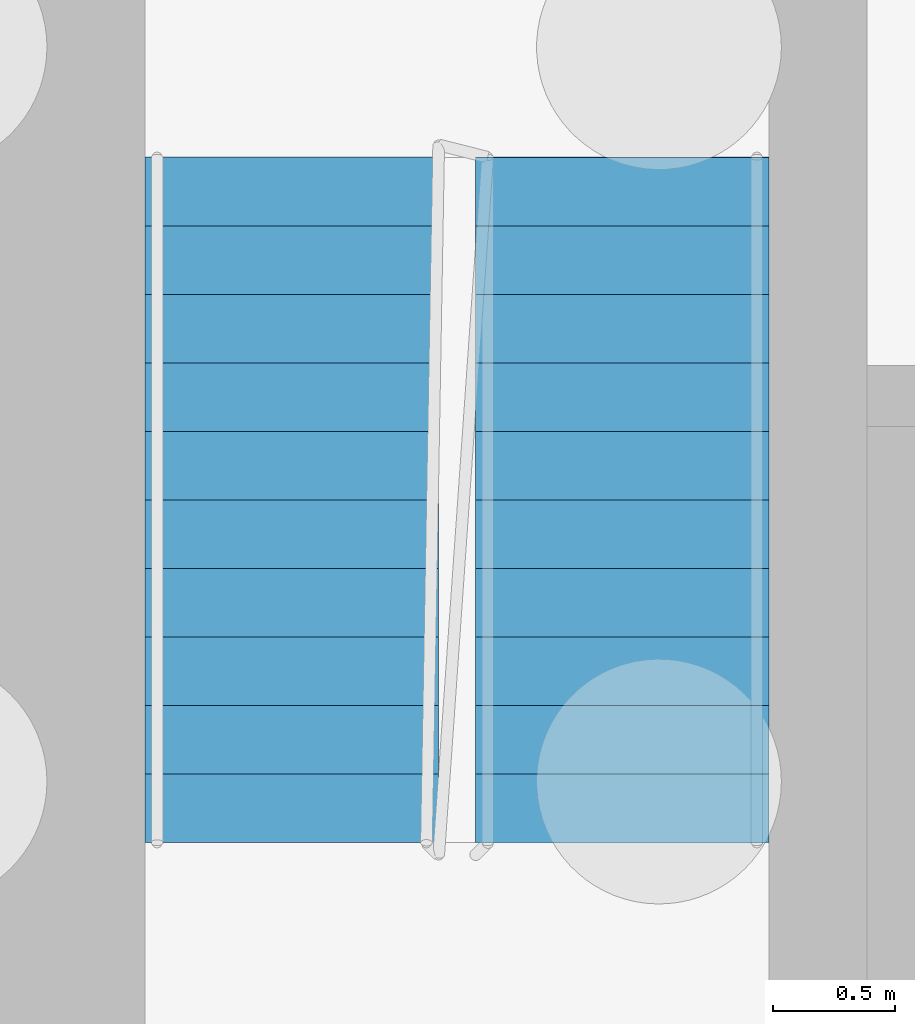
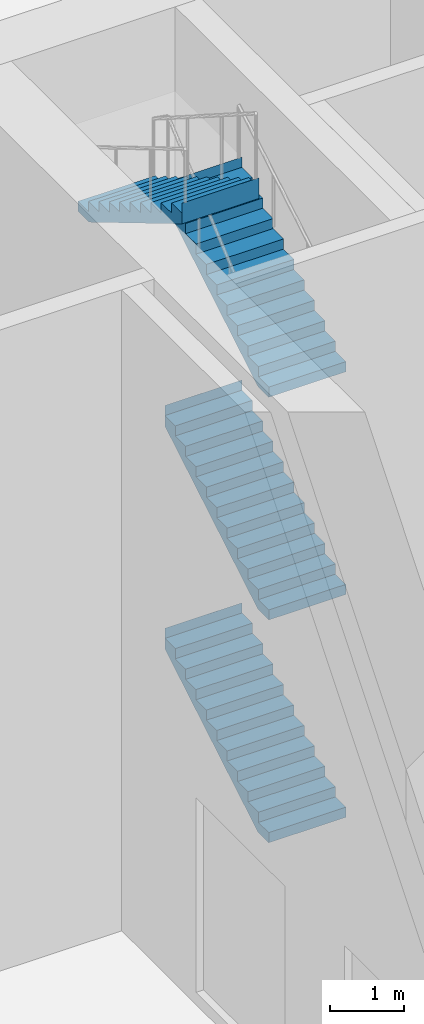
# One storey, part 18 of 26: 4 stair flights, 1 element without a shape of its own.
"""IFC4 building model written with IfcOpenShell, lengths in metres."""

from ifc_helpers import new_model, si_unit, direction, frame, origin, place, context, subcontext, project, spatial, faceted_brep, material, type_object, element, aggregate, save


model = new_model("IFC4")

# Units and contexts
model_context = context("Model", 3, precision=1e-05, world=origin(), true_north=direction((0.0, 1.0)))
body_context = subcontext(model_context, "Body", "Model", "MODEL_VIEW")
ifc_project = project(units=[si_unit("LENGTHUNIT", "METRE"), si_unit("AREAUNIT", "SQUARE_METRE"), si_unit("VOLUMEUNIT", "CUBIC_METRE"), si_unit("PLANEANGLEUNIT", "RADIAN"), si_unit("MASSUNIT", "GRAM", prefix="KILO")], contexts=[model_context])

# Site, building, storey
site_placement = place(None, origin())
site = spatial("IfcSite", under=ifc_project, at=site_placement, CompositionType="ELEMENT")
building_placement = place(site_placement, origin())
building = spatial("IfcBuilding", under=site, at=building_placement, Name="Kajstack Hotel Tower", CompositionType="ELEMENT")
storey_placement = place(building_placement, origin())
storey = spatial("IfcBuildingStorey", under=building, at=storey_placement, Name="L00", CompositionType="ELEMENT", Elevation=0.0)

# Stair, stair flights
ifc_material = material(Name="Concrete C40/50", Category="concrete")
stair_type = type_object("IfcStairType", Name="Exit stair 1200", PredefinedType="HALF_TURN_STAIR", material=ifc_material)
stair_placement = place(storey_placement, origin())
stair = element("IfcStair", 1, at=stair_placement, inside=storey, type_object=stair_type, Name="L00 stair E2", PredefinedType="HALF_TURN_STAIR")
stair_flight_type = type_object("IfcStairFlightType", Name="Exit stair flight 1200", PredefinedType="STRAIGHT", material=ifc_material)
stair_flight_1_placement = place(storey_placement, frame((16.35009765625, 10.0, 0.0), z_axis=(0.0, 0.0, 1.0), x_axis=(0.0, 1.0, 0.0)))
stair_flight_1 = element("IfcStairFlight", 2, at=stair_flight_1_placement, type_object=stair_flight_type, Name="E2 flight 1", NumberOfRisers=11, NumberOfTreads=10, PredefinedType="STRAIGHT", RiserHeight=0.166666667, TreadLength=0.28, context=body_context, shape_type="Brep", body=[
    faceted_brep([(0.29345703125, -0.60009765625, 0.0), (2.800537109375, -0.60009765625, 1.4921875), (2.800537109375, -0.60009765625, 1.833251953125), (2.800048828125, -0.60009765625, 1.833251953125), (2.800048828125, -0.60009765625, 1.666748046875), (2.52001953125, -0.60009765625, 1.666748046875), (2.52001953125, -0.60009765625, 1.5), (2.239990234375, -0.60009765625, 1.5), (2.239990234375, -0.60009765625, 1.333251953125), (1.9599609375, -0.60009765625, 1.333251953125), (1.9599609375, -0.60009765625, 1.166748046875), (1.679931640625, -0.60009765625, 1.166748046875), (1.679931640625, -0.60009765625, 1.0), (1.39990234375, -0.60009765625, 1.0), (1.39990234375, -0.60009765625, 0.833251953125), (1.1201171875, -0.60009765625, 0.833251953125), (1.1201171875, -0.60009765625, 0.666748046875), (0.840087890625, -0.60009765625, 0.666748046875), (0.840087890625, -0.60009765625, 0.5), (0.56005859375, -0.60009765625, 0.5), (0.56005859375, -0.60009765625, 0.333251953125), (0.280029296875, -0.60009765625, 0.333251953125), (0.280029296875, -0.60009765625, 0.166748046875), (-0.00048828125, -0.60009765625, 0.166748046875), (-0.00048828125, -0.60009765625, 0.0), (-0.00048828125, 0.60009765625, 0.0), (-0.00048828125, 0.60009765625, 0.166748046875), (0.280029296875, 0.60009765625, 0.166748046875), (0.280029296875, 0.60009765625, 0.333251953125), (0.56005859375, 0.60009765625, 0.333251953125), (0.56005859375, 0.60009765625, 0.5), (0.840087890625, 0.60009765625, 0.5), (0.840087890625, 0.60009765625, 0.666748046875), (1.1201171875, 0.60009765625, 0.666748046875), (1.1201171875, 0.60009765625, 0.833251953125), (1.39990234375, 0.60009765625, 0.833251953125), (1.39990234375, 0.60009765625, 1.0), (1.679931640625, 0.60009765625, 1.0), (1.679931640625, 0.60009765625, 1.166748046875), (1.9599609375, 0.60009765625, 1.166748046875), (1.9599609375, 0.60009765625, 1.333251953125), (2.239990234375, 0.60009765625, 1.333251953125), (2.239990234375, 0.60009765625, 1.5), (2.52001953125, 0.60009765625, 1.5), (2.52001953125, 0.60009765625, 1.666748046875), (2.800048828125, 0.60009765625, 1.666748046875), (2.800048828125, 0.60009765625, 1.833251953125), (2.800537109375, 0.60009765625, 1.833251953125), (2.800537109375, 0.60009765625, 1.4921875), (0.29345703125, 0.60009765625, 0.0), (-0.00048828125, -0.300048828125, 0.166748046875), (-0.00048828125, 0.0, 0.166748046875), (-0.00048828125, 0.300048828125, 0.166748046875), (-0.00048828125, 0.300048828125, 0.0), (-0.00048828125, 0.0, 0.0), (-0.00048828125, -0.300048828125, 0.0), (0.280029296875, -0.300048828125, 0.166748046875), (0.280029296875, 0.0, 0.166748046875), (0.280029296875, 0.300048828125, 0.166748046875), (0.280029296875, -0.300048828125, 0.333251953125), (0.280029296875, 0.0, 0.333251953125), (0.280029296875, 0.300048828125, 0.333251953125), (0.56005859375, -0.300048828125, 0.333251953125), (0.56005859375, 0.0, 0.333251953125), (0.56005859375, 0.300048828125, 0.333251953125), (0.56005859375, -0.300048828125, 0.5), (0.56005859375, 0.0, 0.5), (0.56005859375, 0.300048828125, 0.5), (0.840087890625, -0.300048828125, 0.5), (0.840087890625, 0.0, 0.5), (0.840087890625, 0.300048828125, 0.5), (0.840087890625, -0.300048828125, 0.666748046875), (0.840087890625, 0.0, 0.666748046875), (0.840087890625, 0.300048828125, 0.666748046875), (1.1201171875, -0.300048828125, 0.666748046875), (1.1201171875, 0.0, 0.666748046875), (1.1201171875, 0.300048828125, 0.666748046875), (1.1201171875, -0.300048828125, 0.833251953125), (1.1201171875, 0.0, 0.833251953125), (1.1201171875, 0.300048828125, 0.833251953125), (1.39990234375, -0.300048828125, 0.833251953125), (1.39990234375, 0.0, 0.833251953125), (1.39990234375, 0.300048828125, 0.833251953125), (1.39990234375, -0.300048828125, 1.0), (1.39990234375, 0.0, 1.0), (1.39990234375, 0.300048828125, 1.0), (1.679931640625, -0.300048828125, 1.0), (1.679931640625, 0.0, 1.0), (1.679931640625, 0.300048828125, 1.0), (1.679931640625, -0.300048828125, 1.166748046875), (1.679931640625, 0.0, 1.166748046875), (1.679931640625, 0.300048828125, 1.166748046875), (1.9599609375, -0.300048828125, 1.166748046875), (1.9599609375, 0.0, 1.166748046875), (1.9599609375, 0.300048828125, 1.166748046875), (1.9599609375, -0.300048828125, 1.333251953125), (1.9599609375, 0.0, 1.333251953125), (1.9599609375, 0.300048828125, 1.333251953125), (2.239990234375, -0.300048828125, 1.333251953125), (2.239990234375, 0.0, 1.333251953125), (2.239990234375, 0.300048828125, 1.333251953125), (2.239990234375, -0.300048828125, 1.5), (2.239990234375, 0.0, 1.5), (2.239990234375, 0.300048828125, 1.5), (2.52001953125, -0.300048828125, 1.5), (2.52001953125, 0.0, 1.5), (2.52001953125, 0.300048828125, 1.5), (2.52001953125, -0.300048828125, 1.666748046875), (2.52001953125, 0.0, 1.666748046875), (2.52001953125, 0.300048828125, 1.666748046875), (2.800048828125, -0.300048828125, 1.666748046875), (2.800048828125, 0.0, 1.666748046875), (2.800048828125, 0.300048828125, 1.666748046875), (2.800048828125, -0.300048828125, 1.833251953125), (2.800048828125, 0.0, 1.833251953125), (2.800048828125, 0.300048828125, 1.833251953125), (2.800537109375, -0.300048828125, 1.833251953125), (2.800537109375, 0.0, 1.833251953125), (2.800537109375, 0.300048828125, 1.833251953125), (2.800537109375, -0.300048828125, 1.4921875), (2.800537109375, 0.0, 1.4921875), (2.800537109375, 0.300048828125, 1.4921875), (0.29345703125, -0.300048828125, 0.0), (0.29345703125, 0.0, 0.0), (0.29345703125, 0.300048828125, 0.0)], [[[0, 1, 2, 3, 4, 5, 6, 7, 8, 9, 10, 11, 12, 13, 14, 15, 16, 17, 18, 19, 20, 21, 22, 23, 24]], [[25, 26, 27, 28, 29, 30, 31, 32, 33, 34, 35, 36, 37, 38, 39, 40, 41, 42, 43, 44, 45, 46, 47, 48, 49]], [[23, 50, 51, 52, 26, 25, 53, 54, 55, 24]], [[22, 56, 57, 58, 27, 26, 52, 51, 50, 23]], [[21, 59, 60, 61, 28, 27, 58, 57, 56, 22]], [[20, 62, 63, 64, 29, 28, 61, 60, 59, 21]], [[19, 65, 66, 67, 30, 29, 64, 63, 62, 20]], [[18, 68, 69, 70, 31, 30, 67, 66, 65, 19]], [[17, 71, 72, 73, 32, 31, 70, 69, 68, 18]], [[16, 74, 75, 76, 33, 32, 73, 72, 71, 17]], [[15, 77, 78, 79, 34, 33, 76, 75, 74, 16]], [[14, 80, 81, 82, 35, 34, 79, 78, 77, 15]], [[13, 83, 84, 85, 36, 35, 82, 81, 80, 14]], [[12, 86, 87, 88, 37, 36, 85, 84, 83, 13]], [[11, 89, 90, 91, 38, 37, 88, 87, 86, 12]], [[10, 92, 93, 94, 39, 38, 91, 90, 89, 11]], [[9, 95, 96, 97, 40, 39, 94, 93, 92, 10]], [[8, 98, 99, 100, 41, 40, 97, 96, 95, 9]], [[7, 101, 102, 103, 42, 41, 100, 99, 98, 8]], [[6, 104, 105, 106, 43, 42, 103, 102, 101, 7]], [[5, 107, 108, 109, 44, 43, 106, 105, 104, 6]], [[4, 110, 111, 112, 45, 44, 109, 108, 107, 5]], [[3, 113, 114, 115, 46, 45, 112, 111, 110, 4]], [[2, 116, 117, 118, 47, 46, 115, 114, 113, 3]], [[1, 119, 120, 121, 48, 47, 118, 117, 116, 2]], [[0, 122, 123, 124, 49, 48, 121, 120, 119, 1]], [[24, 55, 54, 53, 25, 49, 124, 123, 122, 0]]]),
])
stair_flight_2_placement = place(storey_placement, frame((16.35009765625, 10.0, 3.666748046875), z_axis=(0.0, 0.0, 1.0), x_axis=(0.0, 1.0, 0.0)))
stair_flight_2 = element("IfcStairFlight", 3, at=stair_flight_2_placement, type_object=stair_flight_type, Name="E2 flight 3", NumberOfRisers=11, NumberOfTreads=10, PredefinedType="STRAIGHT", RiserHeight=0.166666667, TreadLength=0.28, context=body_context, shape_type="Brep", body=[
    faceted_brep([(0.29345703125, -0.60009765625, 0.0), (2.800537109375, -0.60009765625, 1.4921875), (2.800537109375, -0.60009765625, 1.833251953125), (2.800048828125, -0.60009765625, 1.833251953125), (2.800048828125, -0.60009765625, 1.666748046875), (2.52001953125, -0.60009765625, 1.666748046875), (2.52001953125, -0.60009765625, 1.5), (2.239990234375, -0.60009765625, 1.5), (2.239990234375, -0.60009765625, 1.333251953125), (1.9599609375, -0.60009765625, 1.333251953125), (1.9599609375, -0.60009765625, 1.166748046875), (1.679931640625, -0.60009765625, 1.166748046875), (1.679931640625, -0.60009765625, 1.0), (1.39990234375, -0.60009765625, 1.0), (1.39990234375, -0.60009765625, 0.833251953125), (1.1201171875, -0.60009765625, 0.833251953125), (1.1201171875, -0.60009765625, 0.666748046875), (0.840087890625, -0.60009765625, 0.666748046875), (0.840087890625, -0.60009765625, 0.5), (0.56005859375, -0.60009765625, 0.5), (0.56005859375, -0.60009765625, 0.333251953125), (0.280029296875, -0.60009765625, 0.333251953125), (0.280029296875, -0.60009765625, 0.166748046875), (-0.00048828125, -0.60009765625, 0.166748046875), (-0.00048828125, -0.60009765625, 0.0), (-0.00048828125, 0.60009765625, 0.0), (-0.00048828125, 0.60009765625, 0.166748046875), (0.280029296875, 0.60009765625, 0.166748046875), (0.280029296875, 0.60009765625, 0.333251953125), (0.56005859375, 0.60009765625, 0.333251953125), (0.56005859375, 0.60009765625, 0.5), (0.840087890625, 0.60009765625, 0.5), (0.840087890625, 0.60009765625, 0.666748046875), (1.1201171875, 0.60009765625, 0.666748046875), (1.1201171875, 0.60009765625, 0.833251953125), (1.39990234375, 0.60009765625, 0.833251953125), (1.39990234375, 0.60009765625, 1.0), (1.679931640625, 0.60009765625, 1.0), (1.679931640625, 0.60009765625, 1.166748046875), (1.9599609375, 0.60009765625, 1.166748046875), (1.9599609375, 0.60009765625, 1.333251953125), (2.239990234375, 0.60009765625, 1.333251953125), (2.239990234375, 0.60009765625, 1.5), (2.52001953125, 0.60009765625, 1.5), (2.52001953125, 0.60009765625, 1.666748046875), (2.800048828125, 0.60009765625, 1.666748046875), (2.800048828125, 0.60009765625, 1.833251953125), (2.800537109375, 0.60009765625, 1.833251953125), (2.800537109375, 0.60009765625, 1.4921875), (0.29345703125, 0.60009765625, 0.0), (-0.00048828125, -0.300048828125, 0.166748046875), (-0.00048828125, 0.0, 0.166748046875), (-0.00048828125, 0.300048828125, 0.166748046875), (-0.00048828125, 0.300048828125, 0.0), (-0.00048828125, 0.0, 0.0), (-0.00048828125, -0.300048828125, 0.0), (0.280029296875, -0.300048828125, 0.166748046875), (0.280029296875, 0.0, 0.166748046875), (0.280029296875, 0.300048828125, 0.166748046875), (0.280029296875, -0.300048828125, 0.333251953125), (0.280029296875, 0.0, 0.333251953125), (0.280029296875, 0.300048828125, 0.333251953125), (0.56005859375, -0.300048828125, 0.333251953125), (0.56005859375, 0.0, 0.333251953125), (0.56005859375, 0.300048828125, 0.333251953125), (0.56005859375, -0.300048828125, 0.5), (0.56005859375, 0.0, 0.5), (0.56005859375, 0.300048828125, 0.5), (0.840087890625, -0.300048828125, 0.5), (0.840087890625, 0.0, 0.5), (0.840087890625, 0.300048828125, 0.5), (0.840087890625, -0.300048828125, 0.666748046875), (0.840087890625, 0.0, 0.666748046875), (0.840087890625, 0.300048828125, 0.666748046875), (1.1201171875, -0.300048828125, 0.666748046875), (1.1201171875, 0.0, 0.666748046875), (1.1201171875, 0.300048828125, 0.666748046875), (1.1201171875, -0.300048828125, 0.833251953125), (1.1201171875, 0.0, 0.833251953125), (1.1201171875, 0.300048828125, 0.833251953125), (1.39990234375, -0.300048828125, 0.833251953125), (1.39990234375, 0.0, 0.833251953125), (1.39990234375, 0.300048828125, 0.833251953125), (1.39990234375, -0.300048828125, 1.0), (1.39990234375, 0.0, 1.0), (1.39990234375, 0.300048828125, 1.0), (1.679931640625, -0.300048828125, 1.0), (1.679931640625, 0.0, 1.0), (1.679931640625, 0.300048828125, 1.0), (1.679931640625, -0.300048828125, 1.166748046875), (1.679931640625, 0.0, 1.166748046875), (1.679931640625, 0.300048828125, 1.166748046875), (1.9599609375, -0.300048828125, 1.166748046875), (1.9599609375, 0.0, 1.166748046875), (1.9599609375, 0.300048828125, 1.166748046875), (1.9599609375, -0.300048828125, 1.333251953125), (1.9599609375, 0.0, 1.333251953125), (1.9599609375, 0.300048828125, 1.333251953125), (2.239990234375, -0.300048828125, 1.333251953125), (2.239990234375, 0.0, 1.333251953125), (2.239990234375, 0.300048828125, 1.333251953125), (2.239990234375, -0.300048828125, 1.5), (2.239990234375, 0.0, 1.5), (2.239990234375, 0.300048828125, 1.5), (2.52001953125, -0.300048828125, 1.5), (2.52001953125, 0.0, 1.5), (2.52001953125, 0.300048828125, 1.5), (2.52001953125, -0.300048828125, 1.666748046875), (2.52001953125, 0.0, 1.666748046875), (2.52001953125, 0.300048828125, 1.666748046875), (2.800048828125, -0.300048828125, 1.666748046875), (2.800048828125, 0.0, 1.666748046875), (2.800048828125, 0.300048828125, 1.666748046875), (2.800048828125, -0.300048828125, 1.833251953125), (2.800048828125, 0.0, 1.833251953125), (2.800048828125, 0.300048828125, 1.833251953125), (2.800537109375, -0.300048828125, 1.833251953125), (2.800537109375, 0.0, 1.833251953125), (2.800537109375, 0.300048828125, 1.833251953125), (2.800537109375, -0.300048828125, 1.4921875), (2.800537109375, 0.0, 1.4921875), (2.800537109375, 0.300048828125, 1.4921875), (0.29345703125, -0.300048828125, 0.0), (0.29345703125, 0.0, 0.0), (0.29345703125, 0.300048828125, 0.0)], [[[0, 1, 2, 3, 4, 5, 6, 7, 8, 9, 10, 11, 12, 13, 14, 15, 16, 17, 18, 19, 20, 21, 22, 23, 24]], [[25, 26, 27, 28, 29, 30, 31, 32, 33, 34, 35, 36, 37, 38, 39, 40, 41, 42, 43, 44, 45, 46, 47, 48, 49]], [[23, 50, 51, 52, 26, 25, 53, 54, 55, 24]], [[22, 56, 57, 58, 27, 26, 52, 51, 50, 23]], [[21, 59, 60, 61, 28, 27, 58, 57, 56, 22]], [[20, 62, 63, 64, 29, 28, 61, 60, 59, 21]], [[19, 65, 66, 67, 30, 29, 64, 63, 62, 20]], [[18, 68, 69, 70, 31, 30, 67, 66, 65, 19]], [[17, 71, 72, 73, 32, 31, 70, 69, 68, 18]], [[16, 74, 75, 76, 33, 32, 73, 72, 71, 17]], [[15, 77, 78, 79, 34, 33, 76, 75, 74, 16]], [[14, 80, 81, 82, 35, 34, 79, 78, 77, 15]], [[13, 83, 84, 85, 36, 35, 82, 81, 80, 14]], [[12, 86, 87, 88, 37, 36, 85, 84, 83, 13]], [[11, 89, 90, 91, 38, 37, 88, 87, 86, 12]], [[10, 92, 93, 94, 39, 38, 91, 90, 89, 11]], [[9, 95, 96, 97, 40, 39, 94, 93, 92, 10]], [[8, 98, 99, 100, 41, 40, 97, 96, 95, 9]], [[7, 101, 102, 103, 42, 41, 100, 99, 98, 8]], [[6, 104, 105, 106, 43, 42, 103, 102, 101, 7]], [[5, 107, 108, 109, 44, 43, 106, 105, 104, 6]], [[4, 110, 111, 112, 45, 44, 109, 108, 107, 5]], [[3, 113, 114, 115, 46, 45, 112, 111, 110, 4]], [[2, 116, 117, 118, 47, 46, 115, 114, 113, 3]], [[1, 119, 120, 121, 48, 47, 118, 117, 116, 2]], [[0, 122, 123, 124, 49, 48, 121, 120, 119, 1]], [[24, 55, 54, 53, 25, 49, 124, 123, 122, 0]]]),
])
stair_flight_3_placement = place(storey_placement, frame((16.35009765625, 10.0, 7.333251953125), z_axis=(0.0, 0.0, 1.0), x_axis=(0.0, 1.0, 0.0)))
stair_flight_3 = element("IfcStairFlight", 4, at=stair_flight_3_placement, type_object=stair_flight_type, Name="E2 flight 5", NumberOfRisers=11, NumberOfTreads=10, PredefinedType="STRAIGHT", RiserHeight=0.166666667, TreadLength=0.28, context=body_context, shape_type="Brep", body=[
    faceted_brep([(0.29345703125, -0.60009765625, 0.0), (2.800537109375, -0.60009765625, 1.4921875), (2.800537109375, -0.60009765625, 1.833251953125), (2.800048828125, -0.60009765625, 1.833251953125), (2.800048828125, -0.60009765625, 1.666748046875), (2.52001953125, -0.60009765625, 1.666748046875), (2.52001953125, -0.60009765625, 1.5), (2.239990234375, -0.60009765625, 1.5), (2.239990234375, -0.60009765625, 1.333251953125), (1.9599609375, -0.60009765625, 1.333251953125), (1.9599609375, -0.60009765625, 1.166748046875), (1.679931640625, -0.60009765625, 1.166748046875), (1.679931640625, -0.60009765625, 1.0), (1.39990234375, -0.60009765625, 1.0), (1.39990234375, -0.60009765625, 0.833251953125), (1.1201171875, -0.60009765625, 0.833251953125), (1.1201171875, -0.60009765625, 0.666748046875), (0.840087890625, -0.60009765625, 0.666748046875), (0.840087890625, -0.60009765625, 0.5), (0.56005859375, -0.60009765625, 0.5), (0.56005859375, -0.60009765625, 0.333251953125), (0.280029296875, -0.60009765625, 0.333251953125), (0.280029296875, -0.60009765625, 0.166748046875), (-0.00048828125, -0.60009765625, 0.166748046875), (-0.00048828125, -0.60009765625, 0.0), (-0.00048828125, 0.60009765625, 0.0), (-0.00048828125, 0.60009765625, 0.166748046875), (0.280029296875, 0.60009765625, 0.166748046875), (0.280029296875, 0.60009765625, 0.333251953125), (0.56005859375, 0.60009765625, 0.333251953125), (0.56005859375, 0.60009765625, 0.5), (0.840087890625, 0.60009765625, 0.5), (0.840087890625, 0.60009765625, 0.666748046875), (1.1201171875, 0.60009765625, 0.666748046875), (1.1201171875, 0.60009765625, 0.833251953125), (1.39990234375, 0.60009765625, 0.833251953125), (1.39990234375, 0.60009765625, 1.0), (1.679931640625, 0.60009765625, 1.0), (1.679931640625, 0.60009765625, 1.166748046875), (1.9599609375, 0.60009765625, 1.166748046875), (1.9599609375, 0.60009765625, 1.333251953125), (2.239990234375, 0.60009765625, 1.333251953125), (2.239990234375, 0.60009765625, 1.5), (2.52001953125, 0.60009765625, 1.5), (2.52001953125, 0.60009765625, 1.666748046875), (2.800048828125, 0.60009765625, 1.666748046875), (2.800048828125, 0.60009765625, 1.833251953125), (2.800537109375, 0.60009765625, 1.833251953125), (2.800537109375, 0.60009765625, 1.4921875), (0.29345703125, 0.60009765625, 0.0), (-0.00048828125, -0.300048828125, 0.166748046875), (-0.00048828125, 0.0, 0.166748046875), (-0.00048828125, 0.300048828125, 0.166748046875), (-0.00048828125, 0.300048828125, 0.0), (-0.00048828125, 0.0, 0.0), (-0.00048828125, -0.300048828125, 0.0), (0.280029296875, -0.300048828125, 0.166748046875), (0.280029296875, 0.0, 0.166748046875), (0.280029296875, 0.300048828125, 0.166748046875), (0.280029296875, -0.300048828125, 0.333251953125), (0.280029296875, 0.0, 0.333251953125), (0.280029296875, 0.300048828125, 0.333251953125), (0.56005859375, -0.300048828125, 0.333251953125), (0.56005859375, 0.0, 0.333251953125), (0.56005859375, 0.300048828125, 0.333251953125), (0.56005859375, -0.300048828125, 0.5), (0.56005859375, 0.0, 0.5), (0.56005859375, 0.300048828125, 0.5), (0.840087890625, -0.300048828125, 0.5), (0.840087890625, 0.0, 0.5), (0.840087890625, 0.300048828125, 0.5), (0.840087890625, -0.300048828125, 0.666748046875), (0.840087890625, 0.0, 0.666748046875), (0.840087890625, 0.300048828125, 0.666748046875), (1.1201171875, -0.300048828125, 0.666748046875), (1.1201171875, 0.0, 0.666748046875), (1.1201171875, 0.300048828125, 0.666748046875), (1.1201171875, -0.300048828125, 0.833251953125), (1.1201171875, 0.0, 0.833251953125), (1.1201171875, 0.300048828125, 0.833251953125), (1.39990234375, -0.300048828125, 0.833251953125), (1.39990234375, 0.0, 0.833251953125), (1.39990234375, 0.300048828125, 0.833251953125), (1.39990234375, -0.300048828125, 1.0), (1.39990234375, 0.0, 1.0), (1.39990234375, 0.300048828125, 1.0), (1.679931640625, -0.300048828125, 1.0), (1.679931640625, 0.0, 1.0), (1.679931640625, 0.300048828125, 1.0), (1.679931640625, -0.300048828125, 1.166748046875), (1.679931640625, 0.0, 1.166748046875), (1.679931640625, 0.300048828125, 1.166748046875), (1.9599609375, -0.300048828125, 1.166748046875), (1.9599609375, 0.0, 1.166748046875), (1.9599609375, 0.300048828125, 1.166748046875), (1.9599609375, -0.300048828125, 1.333251953125), (1.9599609375, 0.0, 1.333251953125), (1.9599609375, 0.300048828125, 1.333251953125), (2.239990234375, -0.300048828125, 1.333251953125), (2.239990234375, 0.0, 1.333251953125), (2.239990234375, 0.300048828125, 1.333251953125), (2.239990234375, -0.300048828125, 1.5), (2.239990234375, 0.0, 1.5), (2.239990234375, 0.300048828125, 1.5), (2.52001953125, -0.300048828125, 1.5), (2.52001953125, 0.0, 1.5), (2.52001953125, 0.300048828125, 1.5), (2.52001953125, -0.300048828125, 1.666748046875), (2.52001953125, 0.0, 1.666748046875), (2.52001953125, 0.300048828125, 1.666748046875), (2.800048828125, -0.300048828125, 1.666748046875), (2.800048828125, 0.0, 1.666748046875), (2.800048828125, 0.300048828125, 1.666748046875), (2.800048828125, -0.300048828125, 1.833251953125), (2.800048828125, 0.0, 1.833251953125), (2.800048828125, 0.300048828125, 1.833251953125), (2.800537109375, -0.300048828125, 1.833251953125), (2.800537109375, 0.0, 1.833251953125), (2.800537109375, 0.300048828125, 1.833251953125), (2.800537109375, -0.300048828125, 1.4921875), (2.800537109375, 0.0, 1.4921875), (2.800537109375, 0.300048828125, 1.4921875), (0.29345703125, -0.300048828125, 0.0), (0.29345703125, 0.0, 0.0), (0.29345703125, 0.300048828125, 0.0)], [[[0, 1, 2, 3, 4, 5, 6, 7, 8, 9, 10, 11, 12, 13, 14, 15, 16, 17, 18, 19, 20, 21, 22, 23, 24]], [[25, 26, 27, 28, 29, 30, 31, 32, 33, 34, 35, 36, 37, 38, 39, 40, 41, 42, 43, 44, 45, 46, 47, 48, 49]], [[23, 50, 51, 52, 26, 25, 53, 54, 55, 24]], [[22, 56, 57, 58, 27, 26, 52, 51, 50, 23]], [[21, 59, 60, 61, 28, 27, 58, 57, 56, 22]], [[20, 62, 63, 64, 29, 28, 61, 60, 59, 21]], [[19, 65, 66, 67, 30, 29, 64, 63, 62, 20]], [[18, 68, 69, 70, 31, 30, 67, 66, 65, 19]], [[17, 71, 72, 73, 32, 31, 70, 69, 68, 18]], [[16, 74, 75, 76, 33, 32, 73, 72, 71, 17]], [[15, 77, 78, 79, 34, 33, 76, 75, 74, 16]], [[14, 80, 81, 82, 35, 34, 79, 78, 77, 15]], [[13, 83, 84, 85, 36, 35, 82, 81, 80, 14]], [[12, 86, 87, 88, 37, 36, 85, 84, 83, 13]], [[11, 89, 90, 91, 38, 37, 88, 87, 86, 12]], [[10, 92, 93, 94, 39, 38, 91, 90, 89, 11]], [[9, 95, 96, 97, 40, 39, 94, 93, 92, 10]], [[8, 98, 99, 100, 41, 40, 97, 96, 95, 9]], [[7, 101, 102, 103, 42, 41, 100, 99, 98, 8]], [[6, 104, 105, 106, 43, 42, 103, 102, 101, 7]], [[5, 107, 108, 109, 44, 43, 106, 105, 104, 6]], [[4, 110, 111, 112, 45, 44, 109, 108, 107, 5]], [[3, 113, 114, 115, 46, 45, 112, 111, 110, 4]], [[2, 116, 117, 118, 47, 46, 115, 114, 113, 3]], [[1, 119, 120, 121, 48, 47, 118, 117, 116, 2]], [[0, 122, 123, 124, 49, 48, 121, 120, 119, 1]], [[24, 55, 54, 53, 25, 49, 124, 123, 122, 0]]]),
])
stair_flight_4_placement = place(storey_placement, frame((15.0, 12.800048828125, 9.166748046875), z_axis=(0.0, 0.0, 1.0), x_axis=(0.0, -1.0, 0.0)))
stair_flight_4 = element("IfcStairFlight", 5, at=stair_flight_4_placement, type_object=stair_flight_type, Name="E2 flight 6", NumberOfRisers=11, NumberOfTreads=10, PredefinedType="STRAIGHT", RiserHeight=0.166666667, TreadLength=0.28, context=body_context, shape_type="Brep", body=[
    faceted_brep([(0.29345703125, -0.60009765625, 0.0), (2.800537109375, -0.60009765625, 1.4921875), (2.800537109375, -0.60009765625, 1.833251953125), (2.800048828125, -0.60009765625, 1.833251953125), (2.800048828125, -0.60009765625, 1.666748046875), (2.52001953125, -0.60009765625, 1.666748046875), (2.52001953125, -0.60009765625, 1.5), (2.239990234375, -0.60009765625, 1.5), (2.239990234375, -0.60009765625, 1.333251953125), (1.9599609375, -0.60009765625, 1.333251953125), (1.9599609375, -0.60009765625, 1.166748046875), (1.679931640625, -0.60009765625, 1.166748046875), (1.679931640625, -0.60009765625, 1.0), (1.39990234375, -0.60009765625, 1.0), (1.39990234375, -0.60009765625, 0.833251953125), (1.1201171875, -0.60009765625, 0.833251953125), (1.1201171875, -0.60009765625, 0.666748046875), (0.840087890625, -0.60009765625, 0.666748046875), (0.840087890625, -0.60009765625, 0.5), (0.56005859375, -0.60009765625, 0.5), (0.56005859375, -0.60009765625, 0.333251953125), (0.280029296875, -0.60009765625, 0.333251953125), (0.280029296875, -0.60009765625, 0.166748046875), (-0.00048828125, -0.60009765625, 0.166748046875), (-0.00048828125, -0.60009765625, 0.0), (-0.00048828125, 0.60009765625, 0.0), (-0.00048828125, 0.60009765625, 0.166748046875), (0.280029296875, 0.60009765625, 0.166748046875), (0.280029296875, 0.60009765625, 0.333251953125), (0.56005859375, 0.60009765625, 0.333251953125), (0.56005859375, 0.60009765625, 0.5), (0.840087890625, 0.60009765625, 0.5), (0.840087890625, 0.60009765625, 0.666748046875), (1.1201171875, 0.60009765625, 0.666748046875), (1.1201171875, 0.60009765625, 0.833251953125), (1.39990234375, 0.60009765625, 0.833251953125), (1.39990234375, 0.60009765625, 1.0), (1.679931640625, 0.60009765625, 1.0), (1.679931640625, 0.60009765625, 1.166748046875), (1.9599609375, 0.60009765625, 1.166748046875), (1.9599609375, 0.60009765625, 1.333251953125), (2.239990234375, 0.60009765625, 1.333251953125), (2.239990234375, 0.60009765625, 1.5), (2.52001953125, 0.60009765625, 1.5), (2.52001953125, 0.60009765625, 1.666748046875), (2.800048828125, 0.60009765625, 1.666748046875), (2.800048828125, 0.60009765625, 1.833251953125), (2.800537109375, 0.60009765625, 1.833251953125), (2.800537109375, 0.60009765625, 1.4921875), (0.29345703125, 0.60009765625, 0.0), (-0.00048828125, -0.300048828125, 0.166748046875), (-0.00048828125, 0.0, 0.166748046875), (-0.00048828125, 0.300048828125, 0.166748046875), (-0.00048828125, 0.300048828125, 0.0), (-0.00048828125, 0.0, 0.0), (-0.00048828125, -0.300048828125, 0.0), (0.280029296875, -0.300048828125, 0.166748046875), (0.280029296875, 0.0, 0.166748046875), (0.280029296875, 0.300048828125, 0.166748046875), (0.280029296875, -0.300048828125, 0.333251953125), (0.280029296875, 0.0, 0.333251953125), (0.280029296875, 0.300048828125, 0.333251953125), (0.56005859375, -0.300048828125, 0.333251953125), (0.56005859375, 0.0, 0.333251953125), (0.56005859375, 0.300048828125, 0.333251953125), (0.56005859375, -0.300048828125, 0.5), (0.56005859375, 0.0, 0.5), (0.56005859375, 0.300048828125, 0.5), (0.840087890625, -0.300048828125, 0.5), (0.840087890625, 0.0, 0.5), (0.840087890625, 0.300048828125, 0.5), (0.840087890625, -0.300048828125, 0.666748046875), (0.840087890625, 0.0, 0.666748046875), (0.840087890625, 0.300048828125, 0.666748046875), (1.1201171875, -0.300048828125, 0.666748046875), (1.1201171875, 0.0, 0.666748046875), (1.1201171875, 0.300048828125, 0.666748046875), (1.1201171875, -0.300048828125, 0.833251953125), (1.1201171875, 0.0, 0.833251953125), (1.1201171875, 0.300048828125, 0.833251953125), (1.39990234375, -0.300048828125, 0.833251953125), (1.39990234375, 0.0, 0.833251953125), (1.39990234375, 0.300048828125, 0.833251953125), (1.39990234375, -0.300048828125, 1.0), (1.39990234375, 0.0, 1.0), (1.39990234375, 0.300048828125, 1.0), (1.679931640625, -0.300048828125, 1.0), (1.679931640625, 0.0, 1.0), (1.679931640625, 0.300048828125, 1.0), (1.679931640625, -0.300048828125, 1.166748046875), (1.679931640625, 0.0, 1.166748046875), (1.679931640625, 0.300048828125, 1.166748046875), (1.9599609375, -0.300048828125, 1.166748046875), (1.9599609375, 0.0, 1.166748046875), (1.9599609375, 0.300048828125, 1.166748046875), (1.9599609375, -0.300048828125, 1.333251953125), (1.9599609375, 0.0, 1.333251953125), (1.9599609375, 0.300048828125, 1.333251953125), (2.239990234375, -0.300048828125, 1.333251953125), (2.239990234375, 0.0, 1.333251953125), (2.239990234375, 0.300048828125, 1.333251953125), (2.239990234375, -0.300048828125, 1.5), (2.239990234375, 0.0, 1.5), (2.239990234375, 0.300048828125, 1.5), (2.52001953125, -0.300048828125, 1.5), (2.52001953125, 0.0, 1.5), (2.52001953125, 0.300048828125, 1.5), (2.52001953125, -0.300048828125, 1.666748046875), (2.52001953125, 0.0, 1.666748046875), (2.52001953125, 0.300048828125, 1.666748046875), (2.800048828125, -0.300048828125, 1.666748046875), (2.800048828125, 0.0, 1.666748046875), (2.800048828125, 0.300048828125, 1.666748046875), (2.800048828125, -0.300048828125, 1.833251953125), (2.800048828125, 0.0, 1.833251953125), (2.800048828125, 0.300048828125, 1.833251953125), (2.800537109375, -0.300048828125, 1.833251953125), (2.800537109375, 0.0, 1.833251953125), (2.800537109375, 0.300048828125, 1.833251953125), (2.800537109375, -0.300048828125, 1.4921875), (2.800537109375, 0.0, 1.4921875), (2.800537109375, 0.300048828125, 1.4921875), (0.29345703125, -0.300048828125, 0.0), (0.29345703125, 0.0, 0.0), (0.29345703125, 0.300048828125, 0.0)], [[[0, 1, 2, 3, 4, 5, 6, 7, 8, 9, 10, 11, 12, 13, 14, 15, 16, 17, 18, 19, 20, 21, 22, 23, 24]], [[25, 26, 27, 28, 29, 30, 31, 32, 33, 34, 35, 36, 37, 38, 39, 40, 41, 42, 43, 44, 45, 46, 47, 48, 49]], [[23, 50, 51, 52, 26, 25, 53, 54, 55, 24]], [[22, 56, 57, 58, 27, 26, 52, 51, 50, 23]], [[21, 59, 60, 61, 28, 27, 58, 57, 56, 22]], [[20, 62, 63, 64, 29, 28, 61, 60, 59, 21]], [[19, 65, 66, 67, 30, 29, 64, 63, 62, 20]], [[18, 68, 69, 70, 31, 30, 67, 66, 65, 19]], [[17, 71, 72, 73, 32, 31, 70, 69, 68, 18]], [[16, 74, 75, 76, 33, 32, 73, 72, 71, 17]], [[15, 77, 78, 79, 34, 33, 76, 75, 74, 16]], [[14, 80, 81, 82, 35, 34, 79, 78, 77, 15]], [[13, 83, 84, 85, 36, 35, 82, 81, 80, 14]], [[12, 86, 87, 88, 37, 36, 85, 84, 83, 13]], [[11, 89, 90, 91, 38, 37, 88, 87, 86, 12]], [[10, 92, 93, 94, 39, 38, 91, 90, 89, 11]], [[9, 95, 96, 97, 40, 39, 94, 93, 92, 10]], [[8, 98, 99, 100, 41, 40, 97, 96, 95, 9]], [[7, 101, 102, 103, 42, 41, 100, 99, 98, 8]], [[6, 104, 105, 106, 43, 42, 103, 102, 101, 7]], [[5, 107, 108, 109, 44, 43, 106, 105, 104, 6]], [[4, 110, 111, 112, 45, 44, 109, 108, 107, 5]], [[3, 113, 114, 115, 46, 45, 112, 111, 110, 4]], [[2, 116, 117, 118, 47, 46, 115, 114, 113, 3]], [[1, 119, 120, 121, 48, 47, 118, 117, 116, 2]], [[0, 122, 123, 124, 49, 48, 121, 120, 119, 1]], [[24, 55, 54, 53, 25, 49, 124, 123, 122, 0]]]),
])
aggregate(stair, [stair_flight_1, stair_flight_2, stair_flight_3, stair_flight_4])

save(model, "model.ifc")
